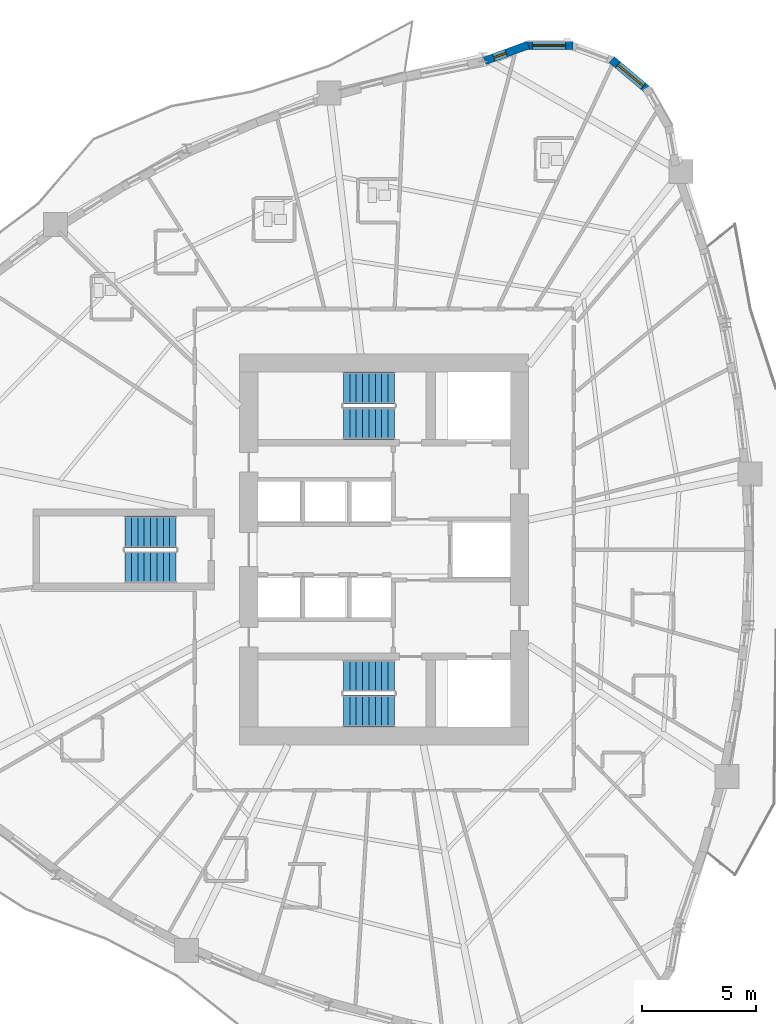
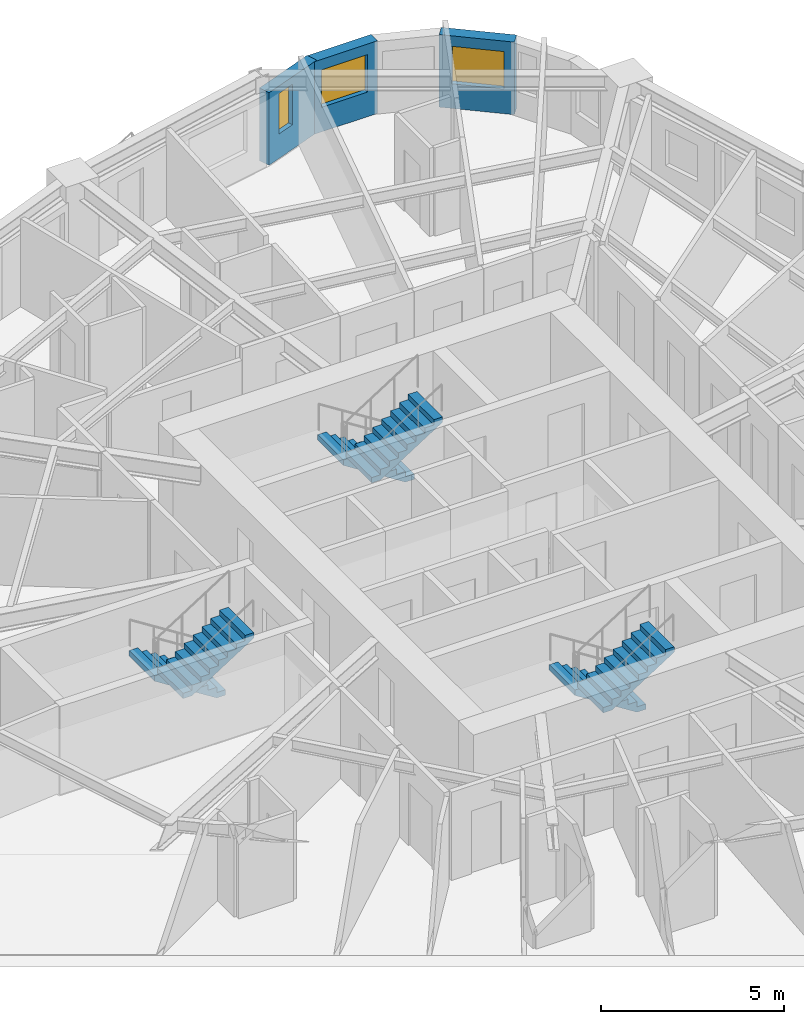
# One storey, part 10 of 14: 6 stair flights, 3 walls, 3 windows, 3 openings, 3 elements without a shape of their own.
"""IFC4 building model written with IfcOpenShell, lengths in metres."""

from ifc_helpers import new_model, si_unit, direction, frame, frame_2d, origin, place, context, subcontext, project, spatial, polyline, rectangle, outline, extrude, source, transform, mapped, material, layer, layer_set, type_object, element, fill, aggregate, save


model = new_model("IFC4")

# Units and contexts
model_context = context("Model", 3, precision=1e-05, world=origin(), true_north=direction((0.0, 1.0)))
body_context = subcontext(model_context, "Body", "Model", "MODEL_VIEW")
ifc_project = project(units=[si_unit("LENGTHUNIT", "METRE"), si_unit("AREAUNIT", "SQUARE_METRE"), si_unit("VOLUMEUNIT", "CUBIC_METRE"), si_unit("PLANEANGLEUNIT", "RADIAN"), si_unit("MASSUNIT", "GRAM", prefix="KILO")], contexts=[model_context])

# Site, building, storey
site_placement = place(None, origin())
site = spatial("IfcSite", under=ifc_project, at=site_placement, CompositionType="ELEMENT")
building_placement = place(site_placement, origin())
building = spatial("IfcBuilding", under=site, at=building_placement, Name="Qafzar Sky-Pleat Residences", CompositionType="ELEMENT")
storey_placement = place(building_placement, frame((0.0, 0.0, 11.0)))
storey = spatial("IfcBuildingStorey", under=building, at=storey_placement, Name="L02", CompositionType="ELEMENT", Elevation=11.0)

# Wall, opening, window
ifc_material_1 = material(Name="Precast concrete C40/50 with honed Riyadh limestone", Category="concrete")
ifc_layer = layer(ifc_material_1, 0.35009765625)
ifc_layer_set = layer_set([ifc_layer], Name="Precast concrete C40/50 with honed Riyadh limestone")
wall_type = type_object("IfcWallType", Name="WALL-EXT-350", PredefinedType="SOLIDWALL", material=ifc_layer_set)
wall_1_placement = place(storey_placement, frame((41.959716796875, 46.197509765625, 0.0), z_axis=(0.0, 0.0, 1.0), x_axis=(-0.766082082368, 0.642742750308, 0.0)))
wall_1 = element("IfcWall", 1, at=wall_1_placement, inside=storey, type_object=wall_type, Name="L02 Limestone Facade Wall 35", PredefinedType="SOLIDWALL", context=body_context, shape_type="SweptSolid", body=[
    extrude(rectangle(XDim=2.09033203125, YDim=0.35009765625, at=frame_2d((1.045166015625, 0.0))), origin(), (0.0, 0.0, 1.0), 2.419921875),
])
opening_1_placement = place(wall_1_placement, frame((0.287353515625, 0.0, 0.820068359375)))
opening_1 = element("IfcOpeningElement", 2, at=opening_1_placement, cuts=wall_1, Name="Opening WN-15", PredefinedType="OPENING", context=body_context, shape_type="SweptSolid", body=[
    extrude(rectangle(XDim=1.449951171875, YDim=1.25, at=frame_2d((0.72509765625, 0.625))), frame((0.0, 0.18505859375, 0.0), z_axis=(0.0, -1.0, 0.0), x_axis=(1.0, 0.0, 0.0)), (0.0, 0.0, 1.0), 0.3701171875),
])
ifc_material_2 = material(Name="Solar-control low-E glass in bronze aluminium frame", Category="glass")
window_type_1 = type_object("IfcWindowType", Name="WIN-15", PartitioningType="SINGLE_PANEL", PredefinedType="WINDOW", material=ifc_material_2)
shared_shape_1 = source(origin(), body_context, "Body", "SweptSolid", [
    extrude(rectangle(XDim=1.449951171875, YDim=1.25, at=frame_2d((0.72509765625, 0.625))), frame((0.0, 0.030029296875, 0.0), z_axis=(0.0, -1.0, 0.0), x_axis=(1.0, 0.0, 0.0)), (0.0, 0.0, 1.0), 0.06005859375),
])
window_1_placement = place(opening_1_placement, origin())
window_1 = element("IfcWindow", 3, at=window_1_placement, inside=storey, type_object=window_type_1, Name="L02 Punched Facade Window 35", OverallHeight=1.25, OverallWidth=1.449951171875, PartitioningType="SINGLE_PANEL", PredefinedType="WINDOW", context=body_context, shape_type="MappedRepresentation", body=[
    mapped(shared_shape_1, transform((0.0, 0.0, 0.0), x_axis=(1.0, 0.0, 0.0), y_axis=(0.0, 1.0, 0.0), z_axis=(0.0, 0.0, 1.0), scale=1.0)),
])
fill(opening_1, window_1)

wall_2_placement = place(storey_placement, frame((38.645263671875, 48.16455078125, 0.0), z_axis=(0.0, 0.0, 1.0), x_axis=(-1.0, 0.0, 0.0)))
wall_2 = element("IfcWall", 4, at=wall_2_placement, inside=storey, type_object=wall_type, Name="L02 Limestone Facade Wall 37", PredefinedType="SOLIDWALL", context=body_context, shape_type="SweptSolid", body=[
    extrude(rectangle(XDim=2.090576171875, YDim=0.35009765625, at=frame_2d((1.04541015625, 0.0))), origin(), (0.0, 0.0, 1.0), 2.419921875),
])
opening_2_placement = place(wall_2_placement, frame((0.3203125, 0.0, 0.820068359375)))
opening_2 = element("IfcOpeningElement", 5, at=opening_2_placement, cuts=wall_2, Name="Opening WN-15", PredefinedType="OPENING", context=body_context, shape_type="SweptSolid", body=[
    extrude(rectangle(XDim=1.449951171875, YDim=1.25, at=frame_2d((0.72509765625, 0.625))), frame((0.0, 0.18505859375, 0.0), z_axis=(0.0, -1.0, 0.0), x_axis=(1.0, 0.0, 0.0)), (0.0, 0.0, 1.0), 0.3701171875),
])
window_2_placement = place(opening_2_placement, origin())
window_2 = element("IfcWindow", 6, at=window_2_placement, inside=storey, type_object=window_type_1, Name="L02 Punched Facade Window 37", OverallHeight=1.25, OverallWidth=1.449951171875, PartitioningType="SINGLE_PANEL", PredefinedType="WINDOW", context=body_context, shape_type="MappedRepresentation", body=[
    mapped(shared_shape_1, transform((0.0, 0.0, 0.0), x_axis=(1.0, 0.0, 0.0), y_axis=(0.0, 1.0, 0.0), z_axis=(0.0, 0.0, 1.0), scale=1.0)),
])
fill(opening_2, window_2)

wall_3_placement = place(storey_placement, frame((36.6884765625, 48.188232421875, 0.0), z_axis=(0.0, 0.0, 1.0), x_axis=(-0.939653047052, -0.342128851701, 0.0)))
wall_3 = element("IfcWall", 7, at=wall_3_placement, inside=storey, type_object=wall_type, Name="L02 Limestone Facade Wall 38", PredefinedType="SOLIDWALL", context=body_context, shape_type="SweptSolid", body=[
    extrude(rectangle(XDim=2.0322265625, YDim=0.35009765625, at=frame_2d((1.01611328125, 0.0))), origin(), (0.0, 0.0, 1.0), 2.419921875),
])
opening_3_placement = place(wall_3_placement, frame((1.038818359375, 0.0, 0.820068359375)))
opening_3 = element("IfcOpeningElement", 8, at=opening_3_placement, cuts=wall_3, Name="Opening WN-17", PredefinedType="OPENING", context=body_context, shape_type="SweptSolid", body=[
    extrude(rectangle(XDim=0.580078125, YDim=1.35009765625, at=frame_2d((0.2900390625, 0.675048828125))), frame((0.0, 0.18505859375, 0.0), z_axis=(0.0, -1.0, 0.0), x_axis=(1.0, 0.0, 0.0)), (0.0, 0.0, 1.0), 0.3701171875),
])
window_type_2 = type_object("IfcWindowType", Name="WIN-17", PartitioningType="SINGLE_PANEL", PredefinedType="WINDOW", material=ifc_material_2)
shared_shape_2 = source(origin(), body_context, "Body", "SweptSolid", [
    extrude(rectangle(XDim=0.580078125, YDim=1.35009765625, at=frame_2d((0.2900390625, 0.675048828125))), frame((0.0, 0.030029296875, 0.0), z_axis=(0.0, -1.0, 0.0), x_axis=(1.0, 0.0, 0.0)), (0.0, 0.0, 1.0), 0.06005859375),
])
window_3_placement = place(opening_3_placement, origin())
window_3 = element("IfcWindow", 9, at=window_3_placement, inside=storey, type_object=window_type_2, Name="L02 Punched Facade Window 38-2", OverallHeight=1.35009765625, OverallWidth=0.580078125, PartitioningType="SINGLE_PANEL", PredefinedType="WINDOW", context=body_context, shape_type="MappedRepresentation", body=[
    mapped(shared_shape_2, transform((0.0, 0.0, 0.0), x_axis=(1.0, 0.0, 0.0), y_axis=(0.0, 1.0, 0.0), z_axis=(0.0, 0.0, 1.0), scale=1.0)),
])
fill(opening_3, window_3)

# Stair, stair flights
ifc_material_3 = material(Name="Concrete C40/50", Category="concrete")
stair_type = type_object("IfcStairType", Name="STAIR-H320", PredefinedType="HALF_TURN_STAIR", material=ifc_material_3)
stair_1_placement = place(storey_placement, origin())
stair_1 = element("IfcStair", 10, at=stair_1_placement, inside=storey, type_object=stair_type, Name="L02 Protected Exit Stair ST1", PredefinedType="HALF_TURN_STAIR")
stair_flight_type = type_object("IfcStairFlightType", Name="FLIGHT-H320", PredefinedType="STRAIGHT", material=ifc_material_3)
shared_shape_3 = source(origin(), body_context, "Body", "SweptSolid", [
    extrude(outline(polyline([(0.0, 0.0), (0.0, 0.177734375), (0.280029296875, 0.177734375), (0.280029296875, 0.35546875), (0.56005859375, 0.35546875), (0.56005859375, 0.533447265625), (0.840087890625, 0.533447265625), (0.840087890625, 0.711181640625), (1.1201171875, 0.711181640625), (1.1201171875, 0.888916015625), (1.39990234375, 0.888916015625), (1.39990234375, 1.066650390625), (1.679931640625, 1.066650390625), (1.679931640625, 1.244384765625), (1.9599609375, 1.244384765625), (1.9599609375, 1.422119140625), (2.239990234375, 1.422119140625), (2.239990234375, 1.60009765625), (2.239990234375, 1.24462890625), (0.27978515625, 0.0), (0.0, 0.0)])), frame((0.0, 0.699951171875, 0.0), z_axis=(0.0, -1.0, 0.0), x_axis=(1.0, 0.0, 0.0)), (0.0, 0.0, 1.0), 1.39990234375),
])
stair_flight_1_placement = place(storey_placement, frame((30.800048828125, 20.449951171875, 0.0), z_axis=(0.0, 0.0, 1.0), x_axis=(-1.0, 0.0, 0.0)))
stair_flight_1 = element("IfcStairFlight", 11, at=stair_flight_1_placement, type_object=stair_flight_type, Name="ST1 flight 1", NumberOfRisers=9, NumberOfTreads=8, PredefinedType="STRAIGHT", RiserHeight=0.177777778, TreadLength=0.28, context=body_context, shape_type="MappedRepresentation", body=[
    mapped(shared_shape_3, transform((0.0, 0.0, 0.0), x_axis=(1.0, 0.0, 0.0), y_axis=(0.0, 1.0, 0.0), z_axis=(0.0, 0.0, 1.0), scale=1.0)),
])
stair_flight_2_placement = place(storey_placement, frame((28.56005859375, 18.89990234375, 1.60009765625), z_axis=(0.0, 0.0, 1.0), x_axis=(1.0, 0.0, 0.0)))
stair_flight_2 = element("IfcStairFlight", 12, at=stair_flight_2_placement, type_object=stair_flight_type, Name="ST1 flight 2", NumberOfRisers=9, NumberOfTreads=8, PredefinedType="STRAIGHT", RiserHeight=0.177777778, TreadLength=0.28, context=body_context, shape_type="MappedRepresentation", body=[
    mapped(shared_shape_3, transform((0.0, 0.0, 0.0), x_axis=(1.0, 0.0, 0.0), y_axis=(0.0, 1.0, 0.0), z_axis=(0.0, 0.0, 1.0), scale=1.0)),
])
aggregate(stair_1, [stair_flight_1, stair_flight_2])

stair_2_placement = place(storey_placement, origin())
stair_2 = element("IfcStair", 13, at=stair_2_placement, inside=storey, type_object=stair_type, Name="L02 Protected Exit Stair ST2", PredefinedType="HALF_TURN_STAIR")
stair_flight_3_placement = place(storey_placement, frame((30.800048828125, 33.10009765625, 0.0), z_axis=(0.0, 0.0, 1.0), x_axis=(-1.0, 0.0, 0.0)))
stair_flight_3 = element("IfcStairFlight", 14, at=stair_flight_3_placement, type_object=stair_flight_type, Name="ST2 flight 1", NumberOfRisers=9, NumberOfTreads=8, PredefinedType="STRAIGHT", RiserHeight=0.177777778, TreadLength=0.28, context=body_context, shape_type="MappedRepresentation", body=[
    mapped(shared_shape_3, transform((0.0, 0.0, 0.0), x_axis=(1.0, 0.0, 0.0), y_axis=(0.0, 1.0, 0.0), z_axis=(0.0, 0.0, 1.0), scale=1.0)),
])
stair_flight_4_placement = place(storey_placement, frame((28.56005859375, 31.550048828125, 1.60009765625), z_axis=(0.0, 0.0, 1.0), x_axis=(1.0, 0.0, 0.0)))
stair_flight_4 = element("IfcStairFlight", 15, at=stair_flight_4_placement, type_object=stair_flight_type, Name="ST2 flight 2", NumberOfRisers=9, NumberOfTreads=8, PredefinedType="STRAIGHT", RiserHeight=0.177777778, TreadLength=0.28, context=body_context, shape_type="MappedRepresentation", body=[
    mapped(shared_shape_3, transform((0.0, 0.0, 0.0), x_axis=(1.0, 0.0, 0.0), y_axis=(0.0, 1.0, 0.0), z_axis=(0.0, 0.0, 1.0), scale=1.0)),
])
aggregate(stair_2, [stair_flight_3, stair_flight_4])

stair_3_placement = place(storey_placement, origin())
stair_3 = element("IfcStair", 16, at=stair_3_placement, inside=storey, type_object=stair_type, Name="L02 Protected Exit Stair ST3", PredefinedType="HALF_TURN_STAIR")
stair_flight_5_placement = place(storey_placement, frame((21.199951171875, 26.77490234375, 0.0), z_axis=(0.0, 0.0, 1.0), x_axis=(-1.0, 0.0, 0.0)))
stair_flight_5 = element("IfcStairFlight", 17, at=stair_flight_5_placement, type_object=stair_flight_type, Name="ST3 flight 1", NumberOfRisers=9, NumberOfTreads=8, PredefinedType="STRAIGHT", RiserHeight=0.177777778, TreadLength=0.28, context=body_context, shape_type="MappedRepresentation", body=[
    mapped(shared_shape_3, transform((0.0, 0.0, 0.0), x_axis=(1.0, 0.0, 0.0), y_axis=(0.0, 1.0, 0.0), z_axis=(0.0, 0.0, 1.0), scale=1.0)),
])
stair_flight_6_placement = place(storey_placement, frame((18.9599609375, 25.22509765625, 1.60009765625), z_axis=(0.0, 0.0, 1.0), x_axis=(1.0, 0.0, 0.0)))
stair_flight_6 = element("IfcStairFlight", 18, at=stair_flight_6_placement, type_object=stair_flight_type, Name="ST3 flight 2", NumberOfRisers=9, NumberOfTreads=8, PredefinedType="STRAIGHT", RiserHeight=0.177777778, TreadLength=0.28, context=body_context, shape_type="MappedRepresentation", body=[
    mapped(shared_shape_3, transform((0.0, 0.0, 0.0), x_axis=(1.0, 0.0, 0.0), y_axis=(0.0, 1.0, 0.0), z_axis=(0.0, 0.0, 1.0), scale=1.0)),
])
aggregate(stair_3, [stair_flight_5, stair_flight_6])

save(model, "model.ifc")
